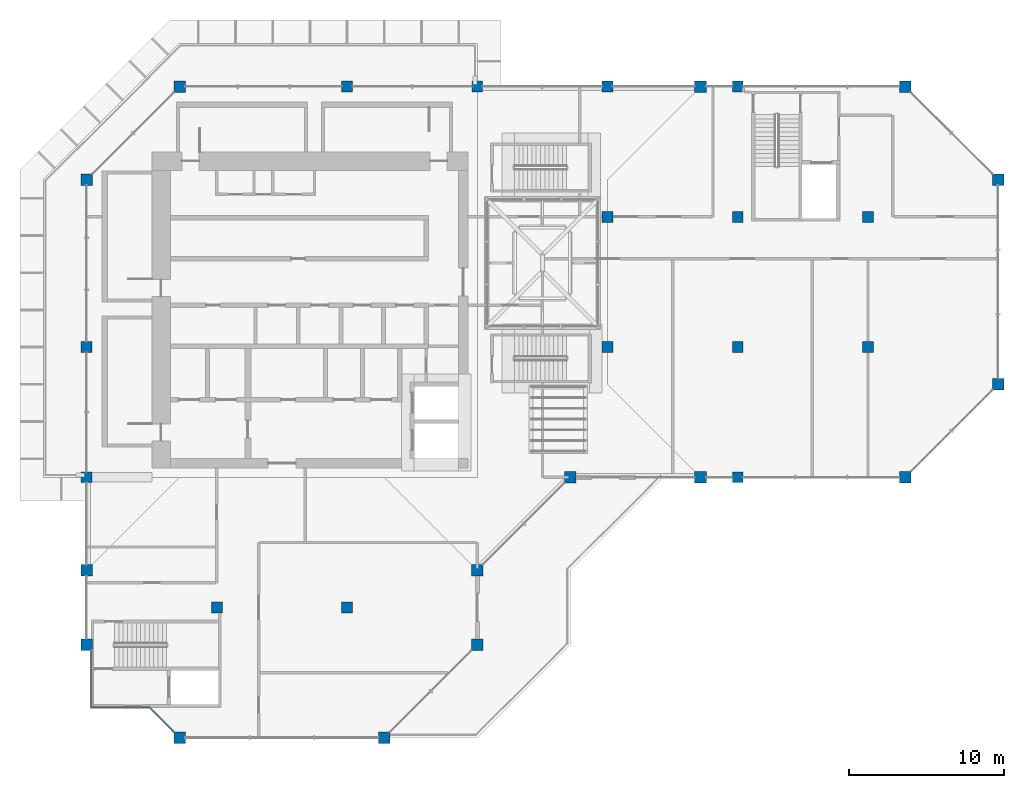
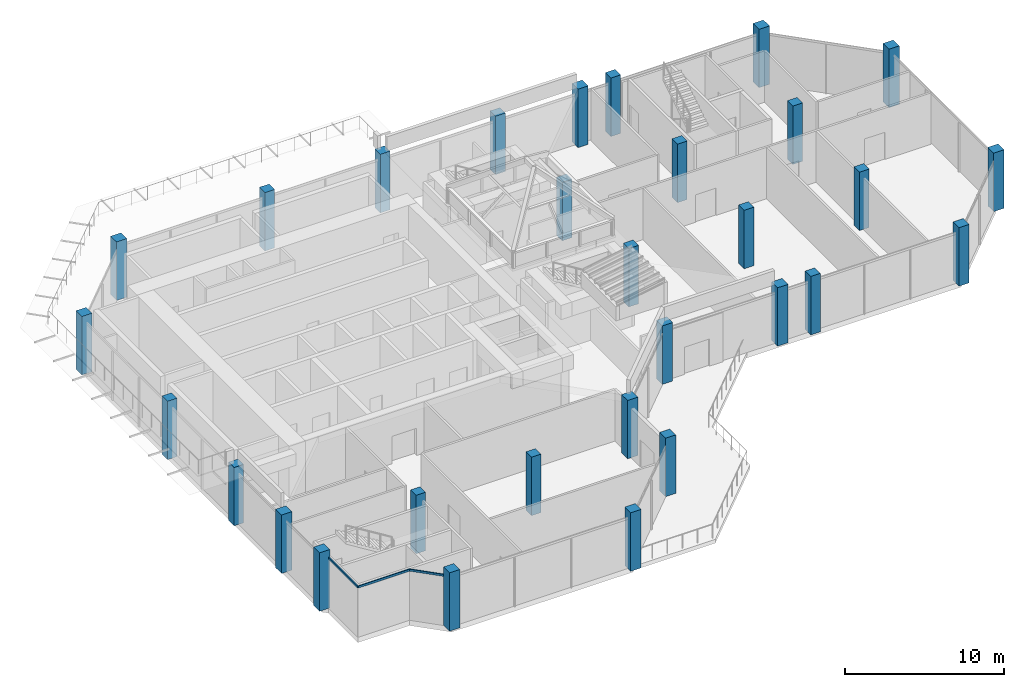
# One storey, part 1 of 15: 30 columns, 3 members, 3 elements without a shape of their own.
"""IFC4 building model written with IfcOpenShell, lengths in metres."""

from ifc_helpers import new_model, si_unit, direction, frame, origin, origin_2d, place, context, subcontext, project, spatial, rectangle, extrude, material, layer, layer_set, material_profile, profile_set, type_object, element, aggregate, save


model = new_model("IFC4")

# Units and contexts
model_context = context("Model", 3, precision=1e-05, world=origin(), true_north=direction((0.0, 1.0)))
body_context = subcontext(model_context, "Body", "Model", "MODEL_VIEW")
ifc_project = project(units=[si_unit("LENGTHUNIT", "METRE"), si_unit("AREAUNIT", "SQUARE_METRE"), si_unit("VOLUMEUNIT", "CUBIC_METRE"), si_unit("PLANEANGLEUNIT", "RADIAN"), si_unit("MASSUNIT", "GRAM", prefix="KILO")], contexts=[model_context])

# Site, building, storey
site_placement = place(None, origin())
site = spatial("IfcSite", under=ifc_project, at=site_placement, CompositionType="ELEMENT")
building_placement = place(site_placement, origin())
building = spatial("IfcBuilding", under=site, at=building_placement, Name="Kawkab Arch Medical Tower", CompositionType="ELEMENT")
storey_placement = place(building_placement, frame((0.0, 0.0, 332.199951171875)))
storey = spatial("IfcBuildingStorey", under=building, at=storey_placement, Name="L77", CompositionType="ELEMENT", Elevation=332.199951171875)

# Columns
ifc_material_1 = material(Name="Concrete C40/50", Category="concrete")
ifc_material_profile_1 = material_profile(ifc_material_1, rectangle(XDim=0.699951171875, YDim=0.699951171875, at=origin_2d()), Name="RC 700x700")
ifc_profile_set_1 = profile_set([ifc_material_profile_1], Name="Concrete C40/50")
column_type_1 = type_object("IfcColumnType", Name="RC 700x700 column C40/50", PredefinedType="COLUMN", material=ifc_profile_set_1)
for number, where, z_axis, x_axis, name in (
    (1, (16.800048828125, 0.0, 0.0), (0.0, 0.0, 1.0), (1.0, 0.0, 0.0), "Column RC 700x700"),
    (2, (25.199951171875, 0.0, 0.0), (0.0, 0.0, 1.0), (1.0, 0.0, 0.0), "Column RC 700x700"),
    (3, (33.60009765625, 0.0, 0.0), (0.0, 0.0, 1.0), (1.0, 0.0, 0.0), "Column RC 700x700"),
    (4, (42.0, 0.0, 0.0), (0.0, 0.0, 1.0), (1.0, 0.0, 0.0), "Column RC 700x700"),
    (5, (33.60009765625, -8.39990234375, 0.0), (0.0, 0.0, 1.0), (1.0, 0.0, 0.0), "Column RC 700x700"),
    (6, (42.0, -8.39990234375, 0.0), (0.0, 0.0, 1.0), (1.0, 0.0, 0.0), "Column RC 700x700"),
    (7, (50.39990234375, -8.39990234375, 0.0), (0.0, 0.0, 1.0), (1.0, 0.0, 0.0), "Column RC 700x700"),
    (8, (0.0, -16.800048828125, 0.0), (0.0, 0.0, 1.0), (1.0, 0.0, 0.0), "Column RC 700x700"),
    (9, (33.60009765625, -16.800048828125, 0.0), (0.0, 0.0, 1.0), (1.0, 0.0, 0.0), "Column RC 700x700"),
    (10, (42.0, -16.800048828125, 0.0), (0.0, 0.0, 1.0), (1.0, 0.0, 0.0), "Column RC 700x700"),
    (11, (50.39990234375, -16.800048828125, 0.0), (0.0, 0.0, 1.0), (1.0, 0.0, 0.0), "Column RC 700x700"),
    (12, (0.0, -25.199951171875, 0.0), (0.0, 0.0, 1.0), (1.0, 0.0, 0.0), "Column RC 700x700"),
    (13, (42.0, -25.199951171875, 0.0), (0.0, 0.0, 1.0), (1.0, 0.0, 0.0), "Column RC 700x700"),
    (14, (8.39990234375, -33.60009765625, 0.0), (0.0, 0.0, 1.0), (1.0, 0.0, 0.0), "Column RC 700x700"),
    (15, (16.800048828125, -33.60009765625, 0.0), (0.0, 0.0, 1.0), (1.0, 0.0, 0.0), "Column RC 700x700"),
):
    element("IfcColumn", number, at=place(storey_placement, frame(where, z_axis=z_axis, x_axis=x_axis)), inside=storey, type_object=column_type_1, Name=name, PredefinedType="COLUMN", context=body_context, shape_type="SweptSolid", body=[
        extrude(rectangle(XDim=0.699951171875, YDim=0.699951171875, at=origin_2d()), origin(), (0.0, 0.0, 1.0), 4.5),
    ])
ifc_material_2 = material(Name="Concrete C40/50", Category="concrete")
ifc_material_profile_2 = material_profile(ifc_material_2, rectangle(XDim=0.75, YDim=0.75, at=origin_2d()), Name="RC 750x750")
ifc_profile_set_2 = profile_set([ifc_material_profile_2], Name="Concrete C40/50")
column_type_2 = type_object("IfcColumnType", Name="RC 750x750 column C40/50", PredefinedType="COLUMN", material=ifc_profile_set_2)
for number, where, z_axis, x_axis, name in (
    (16, (6.0, 0.0, 0.0), (0.0, 0.0, 1.0), (1.0, 0.0, 0.0), "Column RC 750x750"),
    (17, (52.800048828125, 0.0, 0.0), (0.0, 0.0, 1.0), (1.0, 0.0, 0.0), "Column RC 750x750"),
    (18, (0.0, -6.0, 0.0), (0.0, 0.0, 1.0), (1.0, 0.0, 0.0), "Column RC 750x750"),
    (19, (58.800048828125, -6.0, 0.0), (0.0, 0.0, 1.0), (1.0, 0.0, 0.0), "Column RC 750x750"),
    (20, (58.800048828125, -19.199951171875, 0.0), (0.0, 0.0, 1.0), (1.0, 0.0, 0.0), "Column RC 750x750"),
    (21, (31.199951171875, -25.199951171875, 0.0), (0.0, 0.0, 1.0), (1.0, 0.0, 0.0), "Column RC 750x750"),
    (22, (52.800048828125, -25.199951171875, 0.0), (0.0, 0.0, 1.0), (1.0, 0.0, 0.0), "Column RC 750x750"),
    (23, (25.199951171875, -31.199951171875, 0.0), (0.0, 0.0, 1.0), (1.0, 0.0, 0.0), "Column RC 750x750"),
    (24, (0.0, -36.0, 0.0), (0.0, 0.0, 1.0), (1.0, 0.0, 0.0), "Column RC 750x750"),
    (25, (25.199951171875, -36.0, 0.0), (0.0, 0.0, 1.0), (1.0, 0.0, 0.0), "Column RC 750x750"),
    (26, (6.0, -42.0, 0.0), (0.0, 0.0, 1.0), (1.0, 0.0, 0.0), "Column RC 750x750"),
    (27, (19.199951171875, -42.0, 0.0), (0.0, 0.0, 1.0), (1.0, 0.0, 0.0), "Column RC 750x750"),
    (28, (39.60009765625, 0.0, 0.0), (0.0, 0.0, 1.0), (1.0, 0.0, 0.0), "Column RC 750x750"),
    (29, (39.60009765625, -25.199951171875, 0.0), (0.0, 0.0, 1.0), (1.0, 0.0, 0.0), "Column RC 750x750"),
    (30, (0.0, -31.199951171875, 0.0), (0.0, 0.0, 1.0), (1.0, 0.0, 0.0), "Column RC 750x750"),
):
    element("IfcColumn", number, at=place(storey_placement, frame(where, z_axis=z_axis, x_axis=x_axis)), inside=storey, type_object=column_type_2, Name=name, PredefinedType="COLUMN", context=body_context, shape_type="SweptSolid", body=[
        extrude(rectangle(XDim=0.75, YDim=0.75, at=origin_2d()), origin(), (0.0, 0.0, 1.0), 4.5),
    ])

# Curtain wall, member
ifc_material_3 = material(Name="Bronze anodised aluminium curtain wall frame", Category="aluminium")
ifc_layer = layer(ifc_material_3, 0.159912109375)
ifc_layer_set = layer_set([ifc_layer], Name="Bronze anodised aluminium curtain wall frame")
curtain_wall_type = type_object("IfcCurtainWallType", Name="CW6 helipad lobby and crown glazing", PredefinedType="NOTDEFINED", material=ifc_layer_set)
placement = place(storey_placement, origin())
curtain_wall_1 = element("IfcCurtainWall", 31, at=placement, inside=storey, type_object=curtain_wall_type, Name="CW6 Helipad lobby and crown glazing R04", PredefinedType="NOTDEFINED")
ifc_material_4 = material(Name="Bronze anodised aluminium curtain wall frame", Category="aluminium")
ifc_material_profile_3 = material_profile(ifc_material_4, rectangle(XDim=0.070068359375, YDim=0.159912109375, at=origin_2d()), Name="AL 70x160")
ifc_profile_set_3 = profile_set([ifc_material_profile_3], Name="Bronze anodised aluminium curtain wall frame")
member_type = type_object("IfcMemberType", Name="CW6 transom 160 x 70", PredefinedType="USERDEFINED", material=ifc_profile_set_3)
member_1_placement = place(storey_placement, frame((0.300048828125, -36.375, 3.8701171875), z_axis=(0.0, -1.0, 0.0), x_axis=(1.0, 0.0, 0.0)))
member_1 = element("IfcMember", 32, at=member_1_placement, type_object=member_type, Name="CW6 transom 1", ObjectType="TRANSOM", PredefinedType="USERDEFINED", context=body_context, shape_type="SweptSolid", body=[
    extrude(rectangle(XDim=0.070068359375, YDim=0.159912109375, at=origin_2d()), origin(), (0.0, 0.0, 1.0), 3.675048828125),
])
aggregate(curtain_wall_1, [member_1])

curtain_wall_2 = element("IfcCurtainWall", 33, at=placement, inside=storey, type_object=curtain_wall_type, Name="CW6 Helipad lobby and crown glazing R05", PredefinedType="NOTDEFINED")
member_2_placement = place(storey_placement, frame((0.300048828125, -40.050048828125, 3.8701171875), z_axis=(1.0, 0.0, 0.0), x_axis=(0.0, 1.0, 0.0)))
member_2 = element("IfcMember", 34, at=member_2_placement, type_object=member_type, Name="CW6 transom 1", ObjectType="TRANSOM", PredefinedType="USERDEFINED", context=body_context, shape_type="SweptSolid", body=[
    extrude(rectangle(XDim=0.070068359375, YDim=0.159912109375, at=origin_2d()), origin(), (0.0, 0.0, 1.0), 3.75),
])
aggregate(curtain_wall_2, [member_2])

curtain_wall_3 = element("IfcCurtainWall", 35, at=placement, inside=storey, type_object=curtain_wall_type, Name="CW6 Helipad lobby and crown glazing R06", PredefinedType="NOTDEFINED")
member_3_placement = place(storey_placement, frame((4.050048828125, -40.050048828125, 3.8701171875), z_axis=(0.707106781187, -0.707106781187, 0.0), x_axis=(0.707106781187, 0.707106781187, 0.0)))
member_3 = element("IfcMember", 36, at=member_3_placement, type_object=member_type, Name="CW6 transom 1", ObjectType="TRANSOM", PredefinedType="USERDEFINED", context=body_context, shape_type="SweptSolid", body=[
    extrude(rectangle(XDim=0.070068359375, YDim=0.159912109375, at=origin_2d()), origin(), (0.0, 0.0, 1.0), 2.227294921875),
])
aggregate(curtain_wall_3, [member_3])

save(model, "model.ifc")
